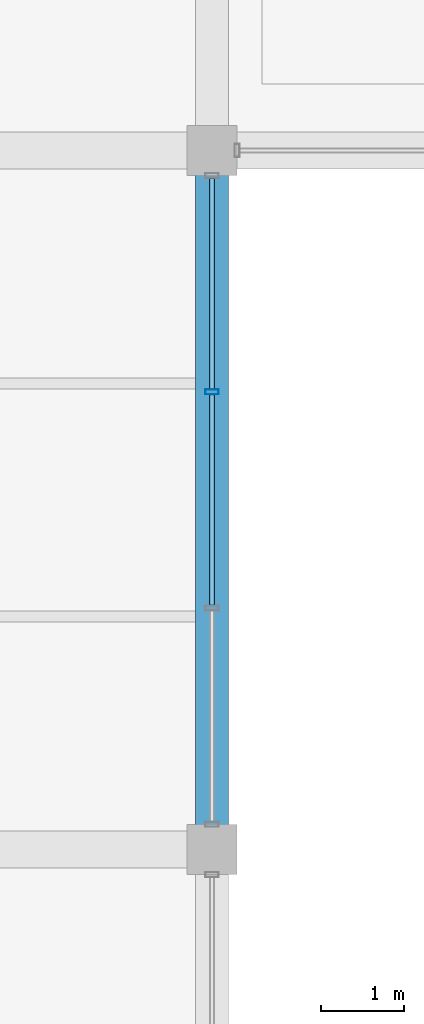
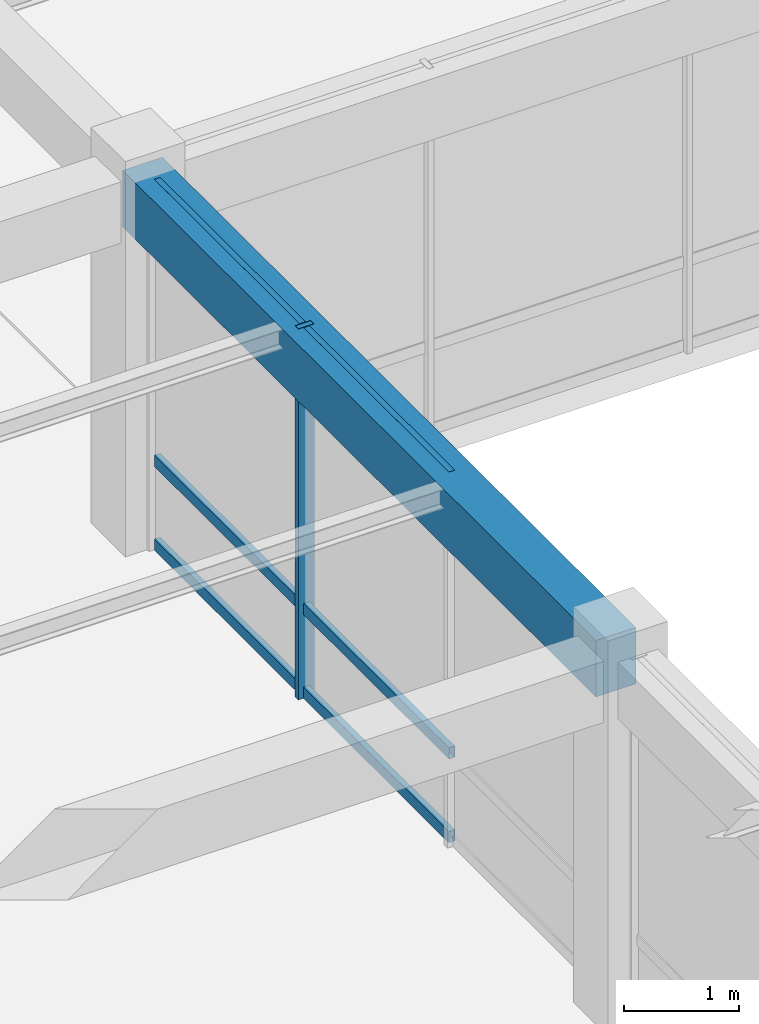
# One storey, part 8 of 114: 7 members, 1 beam, 1 element without a shape of its own.
"""IFC4 building model written with IfcOpenShell, lengths in metres."""

from ifc_helpers import new_model, si_unit, direction, frame, origin, origin_2d, place, context, subcontext, project, spatial, rectangle, hollow_rectangle, extrude, material, material_profile, profile_set, type_object, element, aggregate, save


model = new_model("IFC4")

# Units and contexts
model_context = context("Model", 3, precision=1e-05, world=origin(), true_north=direction((0.0, 1.0)))
body_context = subcontext(model_context, "Body", "Model", "MODEL_VIEW")
ifc_project = project(units=[si_unit("LENGTHUNIT", "METRE"), si_unit("AREAUNIT", "SQUARE_METRE"), si_unit("VOLUMEUNIT", "CUBIC_METRE"), si_unit("PLANEANGLEUNIT", "RADIAN"), si_unit("MASSUNIT", "GRAM", prefix="KILO"), si_unit("THERMODYNAMICTEMPERATUREUNIT", "KELVIN"), si_unit("POWERUNIT", "WATT")], contexts=[model_context])

# Site, building, storey
site_placement = place(None, origin())
site = spatial("IfcSite", under=ifc_project, at=site_placement, CompositionType="ELEMENT")
building_placement = place(site_placement, origin())
building = spatial("IfcBuilding", under=site, at=building_placement, Name="Darbajah Civic Hall", CompositionType="ELEMENT")
storey_placement = place(building_placement, frame((0.0, 0.0, 13.800048828125)))
storey = spatial("IfcBuildingStorey", under=building, at=storey_placement, Name="L03", CompositionType="ELEMENT", Elevation=13.800048828125)

# Curtain wall, members
ifc_material_1 = material(Name="Anodised Bronze Aluminium and Low-E Glazing", Category="aluminium")
curtain_wall_type = type_object("IfcCurtainWallType", Name="Unitised Curtain Wall CW-100 7800x3950", PredefinedType="USERDEFINED", material=ifc_material_1)
curtain_wall_placement = place(storey_placement, origin())
curtain_wall = element("IfcCurtainWall", 1, at=curtain_wall_placement, inside=storey, type_object=curtain_wall_type, Name="L03 unitised curtain wall CW-V5-L03-S1-B1", ObjectType="UNITISED CURTAIN WALL", PredefinedType="USERDEFINED")
ifc_material_2 = material(Name="Anodised Bronze Aluminium", Category="aluminium")
ifc_material_profile_1 = material_profile(ifc_material_2, hollow_rectangle(XDim=0.06005859375, YDim=0.159912109375, WallThickness=0.00341796875, at=origin_2d()), Name="ALU MULLION 60x160")
ifc_profile_set_1 = profile_set([ifc_material_profile_1], Name="Anodised Bronze Aluminium")
member_type_1 = type_object("IfcMemberType", Name="ALU MULLION 60x160", PredefinedType="MULLION", material=ifc_profile_set_1)
member_1_placement = place(storey_placement, frame((16.800048828125, 13.8994140625, 0.0), z_axis=(0.0, 0.0, 1.0), x_axis=(0.0, 1.0, 0.0)))
member_1 = element("IfcMember", 2, at=member_1_placement, type_object=member_type_1, Name="CW-V5-L03-S1-B1 mullion 3", PredefinedType="MULLION", context=body_context, shape_type="SweptSolid", body=[
    extrude(hollow_rectangle(XDim=0.06005859375, YDim=0.159912109375, WallThickness=0.00341796875, at=origin_2d()), origin(), (0.0, 0.0, 1.0), 3.93994140625),
])
ifc_material_profile_2 = material_profile(ifc_material_2, hollow_rectangle(XDim=0.06005859375, YDim=0.1201171875, WallThickness=0.003173828125, at=origin_2d()), Name="ALU TRANSOM 60x120")
ifc_profile_set_2 = profile_set([ifc_material_profile_2], Name="Anodised Bronze Aluminium")
member_type_2 = type_object("IfcMemberType", Name="ALU TRANSOM 60x120", PredefinedType="USERDEFINED", material=ifc_profile_set_2)
member_2_placement = place(storey_placement, frame((16.800048828125, 11.335693359375, 0.06005859375), z_axis=(0.0, 1.0, 0.0), x_axis=(-1.0, 0.0, 0.0)))
member_2 = element("IfcMember", 3, at=member_2_placement, type_object=member_type_2, Name="CW-V5-L03-S1-B1 transom 2.1", ObjectType="TRANSOM", PredefinedType="USERDEFINED", context=body_context, shape_type="SweptSolid", body=[
    extrude(hollow_rectangle(XDim=0.06005859375, YDim=0.1201171875, WallThickness=0.003173828125, at=origin_2d()), origin(), (0.0, 0.0, 1.0), 2.528564453125),
])
member_3_placement = place(storey_placement, frame((16.800048828125, 11.335693359375, 0.949951171875), z_axis=(0.0, 1.0, 0.0), x_axis=(-1.0, 0.0, 0.0)))
member_3 = element("IfcMember", 4, at=member_3_placement, type_object=member_type_2, Name="CW-V5-L03-S1-B1 transom 2.2", ObjectType="TRANSOM", PredefinedType="USERDEFINED", context=body_context, shape_type="SweptSolid", body=[
    extrude(hollow_rectangle(XDim=0.06005859375, YDim=0.1201171875, WallThickness=0.003173828125, at=origin_2d()), origin(), (0.0, 0.0, 1.0), 2.528564453125),
])
member_4_placement = place(storey_placement, frame((16.800048828125, 11.335693359375, 3.8798828125), z_axis=(0.0, 1.0, 0.0), x_axis=(-1.0, 0.0, 0.0)))
member_4 = element("IfcMember", 5, at=member_4_placement, type_object=member_type_2, Name="CW-V5-L03-S1-B1 transom 2.3", ObjectType="TRANSOM", PredefinedType="USERDEFINED", context=body_context, shape_type="SweptSolid", body=[
    extrude(hollow_rectangle(XDim=0.06005859375, YDim=0.1201171875, WallThickness=0.003173828125, at=origin_2d()), origin(), (0.0, 0.0, 1.0), 2.528564453125),
])
member_5_placement = place(storey_placement, frame((16.800048828125, 13.934326171875, 0.06005859375), z_axis=(0.0, 1.0, 0.0), x_axis=(-1.0, 0.0, 0.0)))
member_5 = element("IfcMember", 6, at=member_5_placement, type_object=member_type_2, Name="CW-V5-L03-S1-B1 transom 3.1", ObjectType="TRANSOM", PredefinedType="USERDEFINED", context=body_context, shape_type="SweptSolid", body=[
    extrude(hollow_rectangle(XDim=0.06005859375, YDim=0.1201171875, WallThickness=0.003173828125, at=origin_2d()), origin(), (0.0, 0.0, 1.0), 2.528564453125),
])
member_6_placement = place(storey_placement, frame((16.800048828125, 13.934326171875, 0.949951171875), z_axis=(0.0, 1.0, 0.0), x_axis=(-1.0, 0.0, 0.0)))
member_6 = element("IfcMember", 7, at=member_6_placement, type_object=member_type_2, Name="CW-V5-L03-S1-B1 transom 3.2", ObjectType="TRANSOM", PredefinedType="USERDEFINED", context=body_context, shape_type="SweptSolid", body=[
    extrude(hollow_rectangle(XDim=0.06005859375, YDim=0.1201171875, WallThickness=0.003173828125, at=origin_2d()), origin(), (0.0, 0.0, 1.0), 2.528564453125),
])
member_7_placement = place(storey_placement, frame((16.800048828125, 13.934326171875, 3.8798828125), z_axis=(0.0, 1.0, 0.0), x_axis=(-1.0, 0.0, 0.0)))
member_7 = element("IfcMember", 8, at=member_7_placement, type_object=member_type_2, Name="CW-V5-L03-S1-B1 transom 3.3", ObjectType="TRANSOM", PredefinedType="USERDEFINED", context=body_context, shape_type="SweptSolid", body=[
    extrude(hollow_rectangle(XDim=0.06005859375, YDim=0.1201171875, WallThickness=0.003173828125, at=origin_2d()), origin(), (0.0, 0.0, 1.0), 2.528564453125),
])
aggregate(curtain_wall, [member_1, member_2, member_3, member_4, member_5, member_6, member_7])

# Beam
ifc_material_3 = material(Name="Concrete C45/55", Category="concrete")
ifc_material_profile_3 = material_profile(ifc_material_3, rectangle(XDim=0.39990234375, YDim=0.60009765625, at=origin_2d()), Name="RC BEAM 400x600")
ifc_profile_set_3 = profile_set([ifc_material_profile_3], Name="Concrete C45/55")
beam_type = type_object("IfcBeamType", Name="RC BEAM 400x600", PredefinedType="BEAM", material=ifc_profile_set_3)
beam_placement = place(storey_placement, frame((16.800048828125, 8.47998046875, 3.639892578125), z_axis=(0.0, 1.0, 0.0), x_axis=(-1.0, 0.0, 0.0)))
element("IfcBeam", 9, at=beam_placement, inside=storey, type_object=beam_type, Name="L03 beam BM-4060", PredefinedType="BEAM", context=body_context, shape_type="SweptSolid", body=[
    extrude(rectangle(XDim=0.39990234375, YDim=0.60009765625, at=origin_2d()), origin(), (0.0, 0.0, 1.0), 8.239990234375),
])

save(model, "model.ifc")
